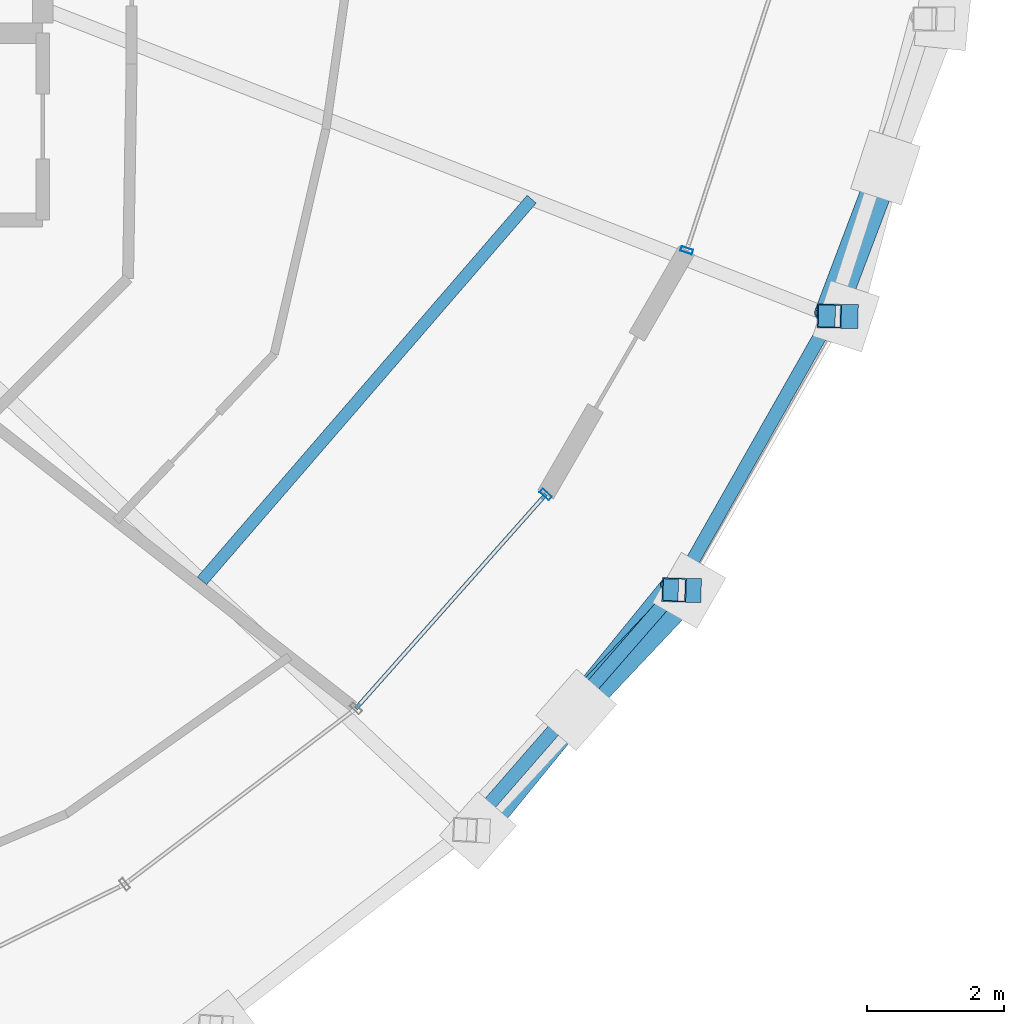
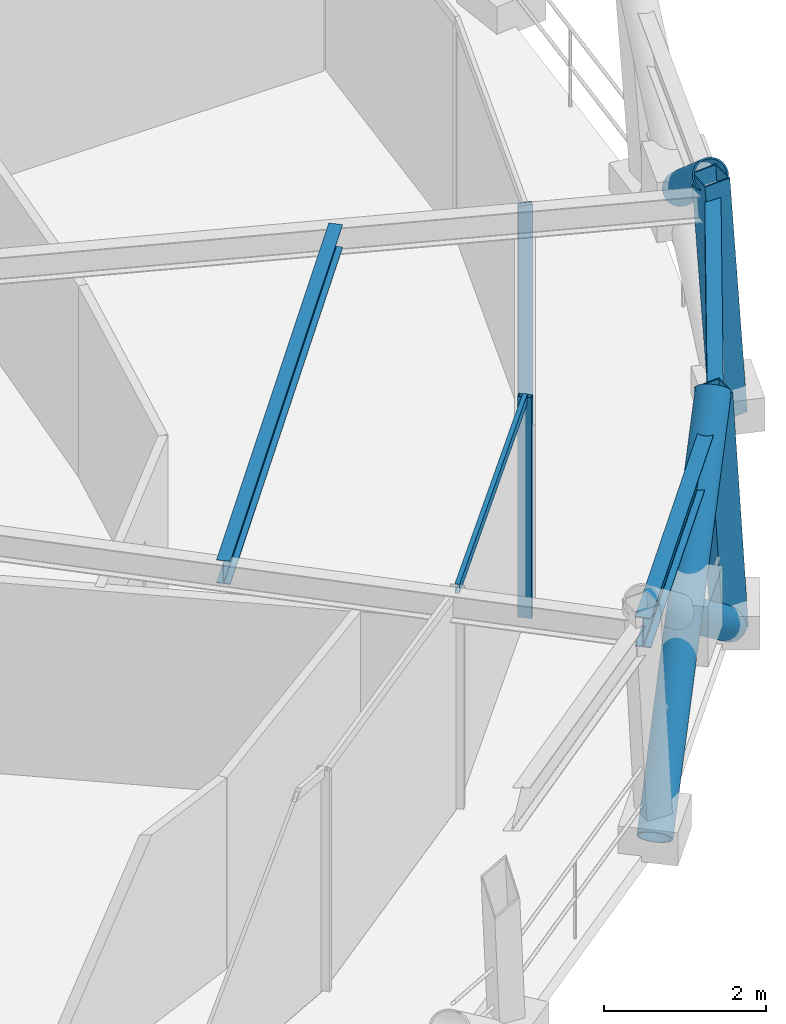
# One storey, part 6 of 17: 8 members, 3 beams, 2 elements without a shape of their own.
"""IFC4 building model written with IfcOpenShell, lengths in metres."""

from ifc_helpers import new_model, si_unit, direction, frame, origin, origin_2d, place, context, subcontext, project, spatial, hollow_rectangle, hollow_circle, i_section, extrude, material, layer, layer_set, material_profile, profile_set, type_object, element, aggregate, save


model = new_model("IFC4")

# Units and contexts
model_context = context("Model", 3, precision=1e-05, world=origin(), true_north=direction((0.0, 1.0)))
body_context = subcontext(model_context, "Body", "Model", "MODEL_VIEW")
ifc_project = project(units=[si_unit("LENGTHUNIT", "METRE"), si_unit("AREAUNIT", "SQUARE_METRE"), si_unit("VOLUMEUNIT", "CUBIC_METRE"), si_unit("PLANEANGLEUNIT", "RADIAN"), si_unit("MASSUNIT", "GRAM", prefix="KILO")], contexts=[model_context])

# Site, building, storey
site_placement = place(None, origin())
site = spatial("IfcSite", under=ifc_project, at=site_placement, CompositionType="ELEMENT")
building_placement = place(site_placement, origin())
building = spatial("IfcBuilding", under=site, at=building_placement, Name="Veldorina Hangang Commons", CompositionType="ELEMENT")
storey_placement = place(building_placement, frame((0.0, 0.0, 225.60009765625)))
storey = spatial("IfcBuildingStorey", under=building, at=storey_placement, Name="L58", CompositionType="ELEMENT", Elevation=225.60009765625)

# Beams
ifc_material_1 = material(Name="Steel SM355-TMC", Category="steel")
ifc_material_profile_1 = material_profile(ifc_material_1, i_section(OverallWidth=0.175048828125, OverallDepth=0.35009765625, WebThickness=0.007080078125, FlangeThickness=0.010986328125, FilletRadius=0.012939453125, at=origin_2d()), Name="H-350x175x7x11")
ifc_profile_set_1 = profile_set([ifc_material_profile_1], Name="Steel SM355-TMC")
beam_type_1 = type_object("IfcBeamType", Name="BM-JST350", PredefinedType="JOIST", material=ifc_profile_set_1)
beam_1_placement = place(storey_placement, frame((45.507080078125, 11.28271484375, 3.184814453125), z_axis=(0.653776095147, 0.756688058195, 0.0), x_axis=(-0.756688058195, 0.653776095147, 0.0)))
element("IfcBeam", 1, at=beam_1_placement, inside=storey, type_object=beam_type_1, Name="L58 secondary floor joist 15", PredefinedType="JOIST", context=body_context, shape_type="SweptSolid", body=[
    extrude(i_section(OverallWidth=0.175048828125, OverallDepth=0.35009765625, WebThickness=0.007080078125, FlangeThickness=0.010986328125, FilletRadius=0.012939453125, at=origin_2d()), origin(), (0.0, 0.0, 1.0), 7.36376953125),
])
ifc_material_profile_2 = material_profile(ifc_material_1, i_section(OverallWidth=0.199951171875, OverallDepth=0.449951171875, WebThickness=0.009033203125, FlangeThickness=0.013916015625, FilletRadius=0.01611328125, at=origin_2d()), Name="H-450x200x9x14")
ifc_profile_set_2 = profile_set([ifc_material_profile_2], Name="Steel SM355-TMC")
beam_type_2 = type_object("IfcBeamType", Name="BM-RB450", PredefinedType="BEAM", material=ifc_profile_set_2)
beam_2_placement = place(storey_placement, frame((49.37255859375, 7.643310546875, 3.135009765625), z_axis=(0.657068652879, 0.753830740554, 0.0), x_axis=(-0.753830740554, 0.657068652879, 0.0)))
element("IfcBeam", 2, at=beam_2_placement, inside=storey, type_object=beam_type_2, Name="L58 perimeter hoop ring beam 28", PredefinedType="BEAM", context=body_context, shape_type="SweptSolid", body=[
    extrude(i_section(OverallWidth=0.199951171875, OverallDepth=0.449951171875, WebThickness=0.009033203125, FlangeThickness=0.013916015625, FilletRadius=0.01611328125, at=origin_2d()), origin(), (0.0, 0.0, 1.0), 4.650146484375),
])
beam_3_placement = place(storey_placement, frame((52.427978515625, 11.148681640625, 3.135009765625), z_axis=(0.493695595954, 0.869634784571, 0.0), x_axis=(-0.869634784571, 0.493695595954, 0.0)))
element("IfcBeam", 3, at=beam_3_placement, inside=storey, type_object=beam_type_2, Name="L58 perimeter hoop ring beam 29", PredefinedType="BEAM", context=body_context, shape_type="SweptSolid", body=[
    extrude(i_section(OverallWidth=0.199951171875, OverallDepth=0.449951171875, WebThickness=0.009033203125, FlangeThickness=0.013916015625, FilletRadius=0.01611328125, at=origin_2d()), origin(), (0.0, 0.0, 1.0), 4.598388671875),
])

# Curtain wall, member
ifc_material_2 = material(Name="Glass Low-E Selective", Category="glass")
ifc_layer = layer(ifc_material_2, 0.179931640625)
ifc_layer_set = layer_set([ifc_layer], Name="Glass Low-E Selective")
curtain_wall_type = type_object("IfcCurtainWallType", Name="CW-SYS-Z3", PredefinedType="NOTDEFINED", material=ifc_layer_set)
curtain_wall_1_placement = place(storey_placement, origin())
curtain_wall_1 = element("IfcCurtainWall", 4, at=curtain_wall_1_placement, inside=storey, type_object=curtain_wall_type, Name="L58 unitised curtain wall CW-L58-R1", PredefinedType="NOTDEFINED")
ifc_material_3 = material(Name="Aluminium Anodized AA6063-T6", Category="aluminium")
ifc_material_profile_3 = material_profile(ifc_material_3, hollow_rectangle(XDim=0.070068359375, YDim=0.179931640625, WallThickness=0.00390625, at=origin_2d()), Name="ALU-RHS-180x70x4")
ifc_profile_set_3 = profile_set([ifc_material_profile_3], Name="Aluminium Anodized AA6063-T6")
member_type_1 = type_object("IfcMemberType", Name="CW-MUL-180", PredefinedType="MULLION", material=ifc_profile_set_3)
member_1_placement = place(storey_placement, frame((50.525634765625, 12.542724609375, 0.0), z_axis=(0.0, 0.0, 1.0), x_axis=(-0.663430108194, -0.748238258539, 0.0)))
member_1 = element("IfcMember", 5, at=member_1_placement, type_object=member_type_1, Name="CW-L58-R1 vertical mullion 4", PredefinedType="MULLION", context=body_context, shape_type="SweptSolid", body=[
    extrude(hollow_rectangle(XDim=0.070068359375, YDim=0.179931640625, WallThickness=0.00390625, at=origin_2d()), origin(), (0.0, 0.0, 1.0), 3.31982421875),
])

curtain_wall_2_placement = place(storey_placement, origin())
curtain_wall_2 = element("IfcCurtainWall", 6, at=curtain_wall_2_placement, inside=storey, type_object=curtain_wall_type, Name="L58 unitised curtain wall CW-L58-R2", PredefinedType="NOTDEFINED")
member_2_placement = place(storey_placement, frame((52.584716796875, 16.108154296875, 0.0), z_axis=(0.0, 0.0, 1.0), x_axis=(0.311439452361, 0.950265998294, 0.0)))
member_2 = element("IfcMember", 7, at=member_2_placement, type_object=member_type_1, Name="CW-L58-R2 vertical mullion 1", PredefinedType="MULLION", context=body_context, shape_type="SweptSolid", body=[
    extrude(hollow_rectangle(XDim=0.070068359375, YDim=0.179931640625, WallThickness=0.00390625, at=origin_2d()), origin(), (0.0, 0.0, 1.0), 3.31982421875),
])
aggregate(curtain_wall_2, [member_2])

# Member
ifc_material_profile_4 = material_profile(ifc_material_3, hollow_rectangle(XDim=0.06005859375, YDim=0.139892578125, WallThickness=0.00341796875, at=origin_2d()), Name="ALU-RHS-140x60x3.5")
ifc_profile_set_4 = profile_set([ifc_material_profile_4], Name="Aluminium Anodized AA6063-T6")
member_type_2 = type_object("IfcMemberType", Name="CW-TRN-140", PredefinedType="USERDEFINED", material=ifc_profile_set_4)
member_3_placement = place(storey_placement, frame((47.7548828125, 9.417724609375, 3.27978515625), z_axis=(0.66342357399, 0.748244052081, 0.0), x_axis=(-0.748244052081, 0.66342357399, 0.0)))
member_3 = element("IfcMember", 8, at=member_3_placement, type_object=member_type_2, Name="CW-L58-R1 facet 4 transom 1", ObjectType="TRANSOM", PredefinedType="USERDEFINED", context=body_context, shape_type="SweptSolid", body=[
    extrude(hollow_rectangle(XDim=0.06005859375, YDim=0.139892578125, WallThickness=0.00341796875, at=origin_2d()), origin(), (0.0, 0.0, 1.0), 4.176513671875),
])

aggregate(curtain_wall_1, [member_1, member_3])

# Members
ifc_material_profile_5 = material_profile(ifc_material_1, hollow_circle(Radius=0.22509765625, WallThickness=0.02197265625, at=origin_2d()), Name="CHS-450x22")
ifc_profile_set_5 = profile_set([ifc_material_profile_5], Name="Steel SM355-TMC")
member_type_3 = type_object("IfcMemberType", Name="DG-CHS450", PredefinedType="BRACE", material=ifc_profile_set_5)
member_4_placement = place(storey_placement, frame((49.53662109375, 7.635986328125, 0.0), z_axis=(0.494624863418, 0.607039605104, 0.621971994806), x_axis=(-0.775234985517, 0.631672951162, 0.0)))
element("IfcMember", 9, at=member_4_placement, inside=storey, type_object=member_type_3, Name="L58 continuous perimeter diagrid brace 28", PredefinedType="BRACE", context=body_context, shape_type="SweptSolid", body=[
    extrude(hollow_circle(Radius=0.22509765625, WallThickness=0.02197265625, at=origin_2d()), origin(), (0.0, 0.0, 1.0), 5.787841796875),
])
member_5_placement = place(storey_placement, frame((52.620849609375, 11.142822265625, 0.0), z_axis=(-0.549024790599, -0.581129126985, 0.60071683602), x_axis=(0.726900366588, -0.686742933749, 0.0)))
element("IfcMember", 10, at=member_5_placement, inside=storey, type_object=member_type_3, Name="L58 split perimeter diagrid lower brace 29", PredefinedType="BRACE", context=body_context, shape_type="SweptSolid", body=[
    extrude(hollow_circle(Radius=0.22509765625, WallThickness=0.02197265625, at=origin_2d()), origin(), (0.0, 0.0, 1.0), 3.00390625),
])
member_6_placement = place(storey_placement, frame((55.488037109375, 17.3173828125, 1.80126953125), z_axis=(-0.279910399209, -0.738996727065, 0.612808294495), x_axis=(0.935164728459, -0.35421311473, 0.0)))
element("IfcMember", 11, at=member_6_placement, inside=storey, type_object=member_type_3, Name="L58 split perimeter diagrid upper brace 31", PredefinedType="BRACE", context=body_context, shape_type="SweptSolid", body=[
    extrude(hollow_circle(Radius=0.22509765625, WallThickness=0.02197265625, at=origin_2d()), origin(), (0.0, 0.0, 1.0), 2.93505859375),
])
ifc_material_profile_6 = material_profile(ifc_material_1, hollow_rectangle(XDim=0.35009765625, YDim=0.35009765625, WallThickness=0.01611328125, at=origin_2d()), Name="SHS-350x350x16")
ifc_profile_set_6 = profile_set([ifc_material_profile_6], Name="Steel SM355-TMC")
member_type_4 = type_object("IfcMemberType", Name="STR-SHS350", PredefinedType="STRUT", material=ifc_profile_set_6)
member_7_placement = place(storey_placement, frame((52.620849609375, 11.142822265625, 0.0), z_axis=(-0.061396229325, 0.001827671656, 0.998111798668), x_axis=(-0.029755286398, -0.999557213436, 0.0)))
element("IfcMember", 12, at=member_7_placement, inside=storey, type_object=member_type_4, Name="L58 perimeter ring node post 29", PredefinedType="STRUT", context=body_context, shape_type="SweptSolid", body=[
    extrude(hollow_rectangle(XDim=0.35009765625, YDim=0.35009765625, WallThickness=0.01611328125, at=origin_2d()), origin(), (0.0, 0.0, 1.0), 3.606689453125),
])
member_8_placement = place(storey_placement, frame((54.912841796875, 15.143798828125, 0.0), z_axis=(-0.068270263131, 0.001285564915, 0.997666035552), x_axis=(-0.018827187615, -0.999822752795, 0.0)))
element("IfcMember", 13, at=member_8_placement, inside=storey, type_object=member_type_4, Name="L58 perimeter ring node post 30", PredefinedType="STRUT", context=body_context, shape_type="SweptSolid", body=[
    extrude(hollow_rectangle(XDim=0.35009765625, YDim=0.35009765625, WallThickness=0.01611328125, at=origin_2d()), origin(), (0.0, 0.0, 1.0), 3.608154296875),
])

save(model, "model.ifc")
